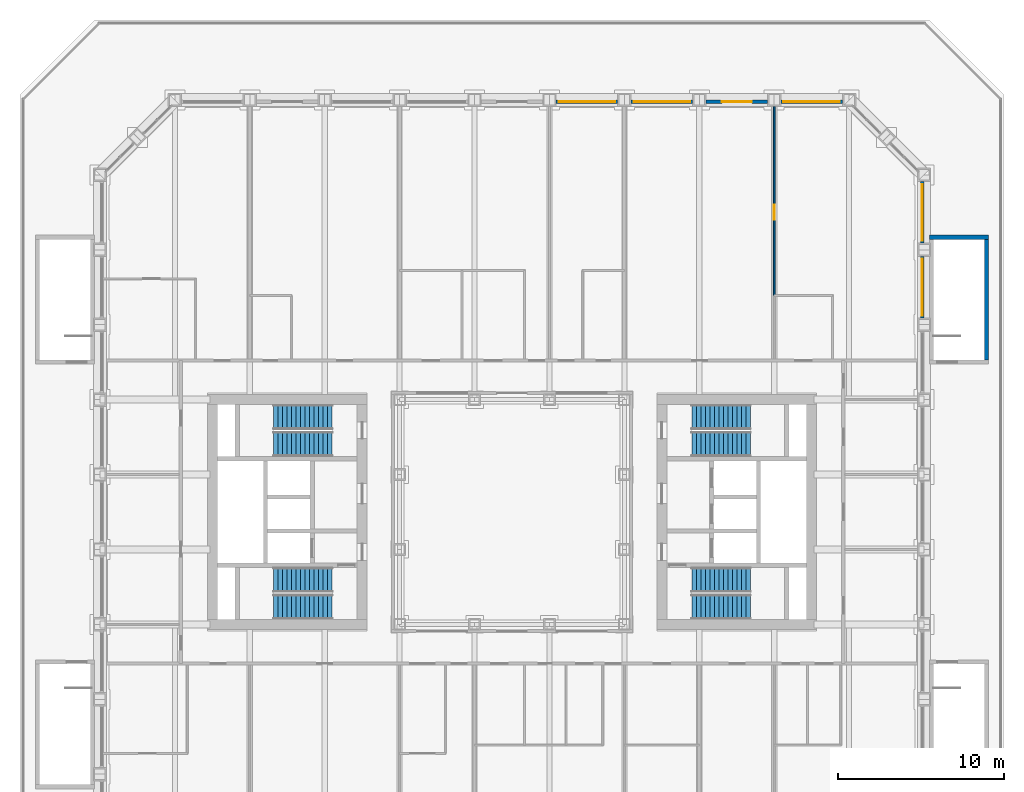
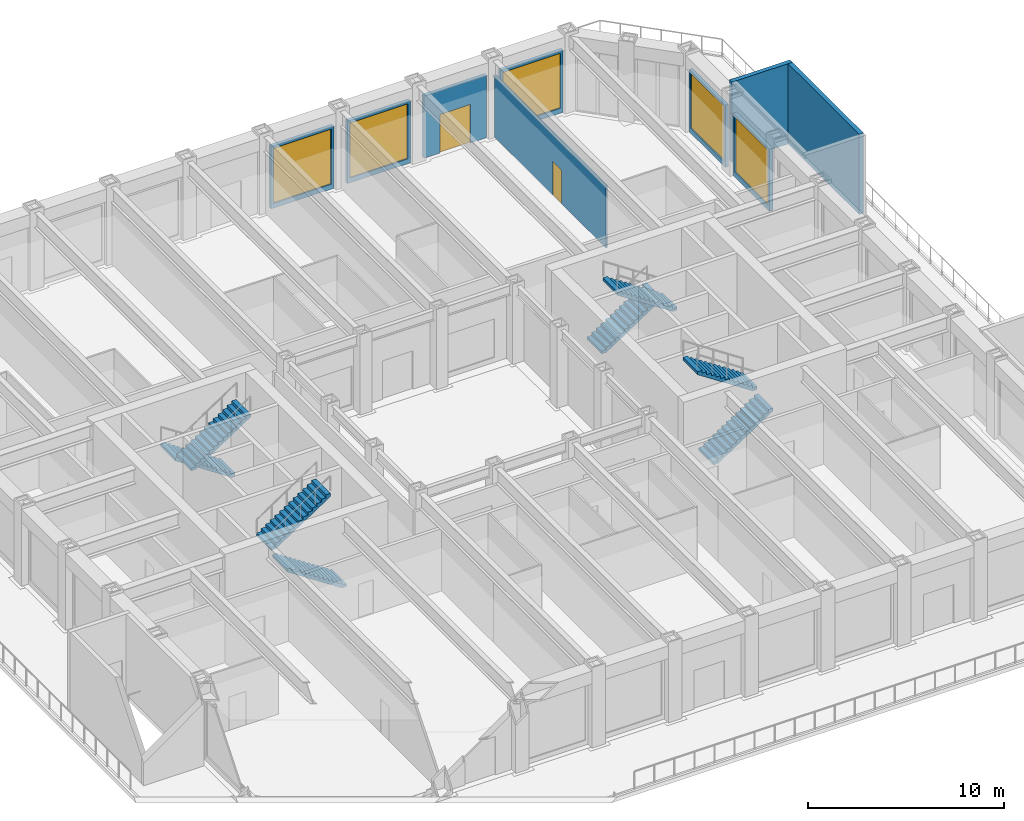
# One storey, part 14 of 18: 9 walls, 8 stair flights, 5 windows, 2 doors, 7 openings, 4 elements without a shape of their own.
"""IFC4 building model written with IfcOpenShell, lengths in metres."""

from ifc_helpers import new_model, si_unit, direction, frame, frame_2d, origin, place, context, subcontext, project, spatial, polyline, rectangle, outline, extrude, material, layer, layer_set, type_object, element, fill, aggregate, save


model = new_model("IFC4")

# Units and contexts
model_context = context("Model", 3, precision=1e-05, world=origin(), true_north=direction((0.0, 1.0)))
body_context = subcontext(model_context, "Body", "Model", "MODEL_VIEW")
ifc_project = project(units=[si_unit("LENGTHUNIT", "METRE"), si_unit("AREAUNIT", "SQUARE_METRE"), si_unit("VOLUMEUNIT", "CUBIC_METRE"), si_unit("PLANEANGLEUNIT", "RADIAN"), si_unit("MASSUNIT", "GRAM", prefix="KILO")], contexts=[model_context])

# Site, building, storey
site_placement = place(None, origin())
site = spatial("IfcSite", under=ifc_project, at=site_placement, CompositionType="ELEMENT")
building_placement = place(site_placement, origin())
building = spatial("IfcBuilding", under=site, at=building_placement, Name="Msasa Ring Tower", CompositionType="ELEMENT")
storey_placement = place(building_placement, frame((0.0, 0.0, 21.5)))
storey = spatial("IfcBuildingStorey", under=building, at=storey_placement, Name="L04", CompositionType="ELEMENT", Elevation=21.5)

# Wall, opening, window
ifc_material_1 = material(Name="Terracotta rainscreen on blockwork", Category="masonry")
ifc_layer_1 = layer(ifc_material_1, 0.199951171875)
ifc_layer_set_1 = layer_set([ifc_layer_1], Name="FW1 TERRACOTTA-LINED INFILL BAY WALL 200")
wall_type_1 = type_object("IfcWallType", Name="FW1 TERRACOTTA-LINED INFILL BAY WALL 200", PredefinedType="SOLIDWALL", material=ifc_layer_set_1)
wall_1_placement = place(storey_placement, frame((24.64990234375, 11.655029296875, 0.0), z_axis=(0.0, 0.0, 1.0), x_axis=(0.0, 1.0, 0.0)))
wall_1 = element("IfcWall", 1, at=wall_1_placement, inside=storey, type_object=wall_type_1, Name="Infill bay wall E L04 18", PredefinedType="SOLIDWALL", context=body_context, shape_type="SweptSolid", body=[
    extrude(rectangle(XDim=3.68994140625, YDim=0.199951171875, at=frame_2d((1.844970703125, 0.0))), origin(), (0.0, 0.0, 1.0), 3.87890625),
])
opening_1_placement = place(wall_1_placement, frame((0.14501953125, 0.0, 0.300048828125)))
opening_1 = element("IfcOpeningElement", 2, at=opening_1_placement, cuts=wall_1, Name="Opening WN4", PredefinedType="OPENING", context=body_context, shape_type="SweptSolid", body=[
    extrude(rectangle(XDim=3.39990234375, YDim=3.428955078125, at=frame_2d((1.699951171875, 1.71435546875))), frame((0.0, 0.10986328125, 0.0), z_axis=(0.0, -1.0, 0.0), x_axis=(1.0, 0.0, 0.0)), (0.0, 0.0, 1.0), 0.219970703125),
])
ifc_material_2 = material(Name="Aluminium frame with clear glass", Category="aluminium")
window_type = type_object("IfcWindowType", Name="WN4 AMENITY WINDOW 3400x3429", PartitioningType="SINGLE_PANEL", PredefinedType="WINDOW", material=ifc_material_2)
window_1_placement = place(opening_1_placement, origin())
window_1 = element("IfcWindow", 3, at=window_1_placement, inside=storey, type_object=window_type, Name="Window E L04 18", OverallHeight=3.428955078125, OverallWidth=3.39990234375, PartitioningType="SINGLE_PANEL", PredefinedType="WINDOW", context=body_context, shape_type="SweptSolid", body=[
    extrude(rectangle(XDim=3.39990234375, YDim=3.428955078125, at=frame_2d((1.699951171875, 1.71435546875))), frame((0.0, 0.030029296875, 0.0), z_axis=(0.0, -1.0, 0.0), x_axis=(1.0, 0.0, 0.0)), (0.0, 0.0, 1.0), 0.06005859375),
])
fill(opening_1, window_1)

wall_2_placement = place(storey_placement, frame((24.64990234375, 16.155029296875, 0.0), z_axis=(0.0, 0.0, 1.0), x_axis=(0.0, 1.0, 0.0)))
wall_2 = element("IfcWall", 4, at=wall_2_placement, inside=storey, type_object=wall_type_1, Name="Infill bay wall E L04 19", PredefinedType="SOLIDWALL", context=body_context, shape_type="SweptSolid", body=[
    extrude(rectangle(XDim=3.68994140625, YDim=0.199951171875, at=frame_2d((1.844970703125, 0.0))), origin(), (0.0, 0.0, 1.0), 3.87890625),
])
opening_2_placement = place(wall_2_placement, frame((0.14501953125, 0.0, 0.300048828125)))
opening_2 = element("IfcOpeningElement", 5, at=opening_2_placement, cuts=wall_2, Name="Opening WN4", PredefinedType="OPENING", context=body_context, shape_type="SweptSolid", body=[
    extrude(rectangle(XDim=3.39990234375, YDim=3.428955078125, at=frame_2d((1.699951171875, 1.71435546875))), frame((0.0, 0.10986328125, 0.0), z_axis=(0.0, -1.0, 0.0), x_axis=(1.0, 0.0, 0.0)), (0.0, 0.0, 1.0), 0.219970703125),
])
window_2_placement = place(opening_2_placement, origin())
window_2 = element("IfcWindow", 6, at=window_2_placement, inside=storey, type_object=window_type, Name="Window E L04 19", OverallHeight=3.428955078125, OverallWidth=3.39990234375, PartitioningType="SINGLE_PANEL", PredefinedType="WINDOW", context=body_context, shape_type="SweptSolid", body=[
    extrude(rectangle(XDim=3.39990234375, YDim=3.428955078125, at=frame_2d((1.699951171875, 1.71435546875))), frame((0.0, 0.030029296875, 0.0), z_axis=(0.0, -1.0, 0.0), x_axis=(1.0, 0.0, 0.0)), (0.0, 0.0, 1.0), 0.06005859375),
])
fill(opening_2, window_2)

wall_3_placement = place(storey_placement, frame((2.655029296875, 24.64990234375, 0.0), z_axis=(0.0, 0.0, 1.0), x_axis=(1.0, 0.0, 0.0)))
wall_3 = element("IfcWall", 7, at=wall_3_placement, inside=storey, type_object=wall_type_1, Name="Infill bay wall N L04 27", PredefinedType="SOLIDWALL", context=body_context, shape_type="SweptSolid", body=[
    extrude(rectangle(XDim=3.68994140625, YDim=0.199951171875, at=frame_2d((1.844970703125, 0.0))), origin(), (0.0, 0.0, 1.0), 3.87890625),
])
opening_3_placement = place(wall_3_placement, frame((0.14501953125, 0.0, 0.300048828125)))
opening_3 = element("IfcOpeningElement", 8, at=opening_3_placement, cuts=wall_3, Name="Opening WN4", PredefinedType="OPENING", context=body_context, shape_type="SweptSolid", body=[
    extrude(rectangle(XDim=3.39990234375, YDim=3.428955078125, at=frame_2d((1.699951171875, 1.71435546875))), frame((0.0, 0.10986328125, 0.0), z_axis=(0.0, -1.0, 0.0), x_axis=(1.0, 0.0, 0.0)), (0.0, 0.0, 1.0), 0.219970703125),
])
window_3_placement = place(opening_3_placement, origin())
window_3 = element("IfcWindow", 9, at=window_3_placement, inside=storey, type_object=window_type, Name="Window N L04 27", OverallHeight=3.428955078125, OverallWidth=3.39990234375, PartitioningType="SINGLE_PANEL", PredefinedType="WINDOW", context=body_context, shape_type="SweptSolid", body=[
    extrude(rectangle(XDim=3.39990234375, YDim=3.428955078125, at=frame_2d((1.699951171875, 1.71435546875))), frame((0.0, 0.030029296875, 0.0), z_axis=(0.0, -1.0, 0.0), x_axis=(1.0, 0.0, 0.0)), (0.0, 0.0, 1.0), 0.06005859375),
])
fill(opening_3, window_3)

wall_4_placement = place(storey_placement, frame((7.155029296875, 24.64990234375, 0.0), z_axis=(0.0, 0.0, 1.0), x_axis=(1.0, 0.0, 0.0)))
wall_4 = element("IfcWall", 10, at=wall_4_placement, inside=storey, type_object=wall_type_1, Name="Infill bay wall N L04 28", PredefinedType="SOLIDWALL", context=body_context, shape_type="SweptSolid", body=[
    extrude(rectangle(XDim=3.68994140625, YDim=0.199951171875, at=frame_2d((1.844970703125, 0.0))), origin(), (0.0, 0.0, 1.0), 3.87890625),
])
opening_4_placement = place(wall_4_placement, frame((0.14501953125, 0.0, 0.300048828125)))
opening_4 = element("IfcOpeningElement", 11, at=opening_4_placement, cuts=wall_4, Name="Opening WN4", PredefinedType="OPENING", context=body_context, shape_type="SweptSolid", body=[
    extrude(rectangle(XDim=3.39990234375, YDim=3.428955078125, at=frame_2d((1.699951171875, 1.71435546875))), frame((0.0, 0.10986328125, 0.0), z_axis=(0.0, -1.0, 0.0), x_axis=(1.0, 0.0, 0.0)), (0.0, 0.0, 1.0), 0.219970703125),
])
window_4_placement = place(opening_4_placement, origin())
window_4 = element("IfcWindow", 12, at=window_4_placement, inside=storey, type_object=window_type, Name="Window N L04 28", OverallHeight=3.428955078125, OverallWidth=3.39990234375, PartitioningType="SINGLE_PANEL", PredefinedType="WINDOW", context=body_context, shape_type="SweptSolid", body=[
    extrude(rectangle(XDim=3.39990234375, YDim=3.428955078125, at=frame_2d((1.699951171875, 1.71435546875))), frame((0.0, 0.030029296875, 0.0), z_axis=(0.0, -1.0, 0.0), x_axis=(1.0, 0.0, 0.0)), (0.0, 0.0, 1.0), 0.06005859375),
])
fill(opening_4, window_4)

# Wall, opening, door
wall_5_placement = place(storey_placement, frame((11.655029296875, 24.64990234375, 0.0), z_axis=(0.0, 0.0, 1.0), x_axis=(1.0, 0.0, 0.0)))
wall_5 = element("IfcWall", 13, at=wall_5_placement, inside=storey, type_object=wall_type_1, Name="Infill bay wall N L04 29", PredefinedType="SOLIDWALL", context=body_context, shape_type="SweptSolid", body=[
    extrude(rectangle(XDim=3.68994140625, YDim=0.199951171875, at=frame_2d((1.844970703125, 0.0))), origin(), (0.0, 0.0, 1.0), 3.87890625),
])
opening_5_placement = place(wall_5_placement, frame((0.945068359375, 0.0, 0.0)))
opening_5 = element("IfcOpeningElement", 14, at=opening_5_placement, cuts=wall_5, Name="Opening L04-003", PredefinedType="OPENING", context=body_context, shape_type="SweptSolid", body=[
    extrude(rectangle(XDim=1.800048828125, YDim=2.39990234375, at=frame_2d((0.89990234375, 1.199951171875))), frame((0.0, 0.10986328125, 0.0), z_axis=(0.0, -1.0, 0.0), x_axis=(1.0, 0.0, 0.0)), (0.0, 0.0, 1.0), 0.219970703125),
])
ifc_material_3 = material(Name="Aluminium frame with clear glass", Category="aluminium")
door_type_1 = type_object("IfcDoorType", Name="ED1 TERRACE DOOR 1800x2400", OperationType="DOUBLE_DOOR_SINGLE_SWING", PredefinedType="DOOR", material=ifc_material_3)
door_1_placement = place(opening_5_placement, origin())
door_1 = element("IfcDoor", 15, at=door_1_placement, inside=storey, type_object=door_type_1, Name="Terrace door N L04", OperationType="DOUBLE_DOOR_SINGLE_SWING", OverallHeight=2.39990234375, OverallWidth=1.800048828125, PredefinedType="DOOR", context=body_context, shape_type="SweptSolid", body=[
    extrude(rectangle(XDim=1.800048828125, YDim=2.39990234375, at=frame_2d((0.89990234375, 1.199951171875))), frame((0.0, 0.02490234375, 0.0), z_axis=(0.0, -1.0, 0.0), x_axis=(1.0, 0.0, 0.0)), (0.0, 0.0, 1.0), 0.050048828125),
])
fill(opening_5, door_1)

# Wall, opening, window
wall_6_placement = place(storey_placement, frame((16.155029296875, 24.64990234375, 0.0), z_axis=(0.0, 0.0, 1.0), x_axis=(1.0, 0.0, 0.0)))
wall_6 = element("IfcWall", 16, at=wall_6_placement, inside=storey, type_object=wall_type_1, Name="Infill bay wall N L04 30", PredefinedType="SOLIDWALL", context=body_context, shape_type="SweptSolid", body=[
    extrude(rectangle(XDim=3.68994140625, YDim=0.199951171875, at=frame_2d((1.844970703125, 0.0))), origin(), (0.0, 0.0, 1.0), 3.87890625),
])
opening_6_placement = place(wall_6_placement, frame((0.14501953125, 0.0, 0.300048828125)))
opening_6 = element("IfcOpeningElement", 17, at=opening_6_placement, cuts=wall_6, Name="Opening WN4", PredefinedType="OPENING", context=body_context, shape_type="SweptSolid", body=[
    extrude(rectangle(XDim=3.39990234375, YDim=3.428955078125, at=frame_2d((1.699951171875, 1.71435546875))), frame((0.0, 0.10986328125, 0.0), z_axis=(0.0, -1.0, 0.0), x_axis=(1.0, 0.0, 0.0)), (0.0, 0.0, 1.0), 0.219970703125),
])
window_5_placement = place(opening_6_placement, origin())
window_5 = element("IfcWindow", 18, at=window_5_placement, inside=storey, type_object=window_type, Name="Window N L04 30", OverallHeight=3.428955078125, OverallWidth=3.39990234375, PartitioningType="SINGLE_PANEL", PredefinedType="WINDOW", context=body_context, shape_type="SweptSolid", body=[
    extrude(rectangle(XDim=3.39990234375, YDim=3.428955078125, at=frame_2d((1.699951171875, 1.71435546875))), frame((0.0, 0.030029296875, 0.0), z_axis=(0.0, -1.0, 0.0), x_axis=(1.0, 0.0, 0.0)), (0.0, 0.0, 1.0), 0.06005859375),
])
fill(opening_6, window_5)

# Wall, opening, door
ifc_material_4 = material(Name="Gypsum board on steel studs", Category="steel")
ifc_layer_2 = layer(ifc_material_4, 0.10009765625)
ifc_layer_set_2 = layer_set([ifc_layer_2], Name="PT2 STUD PARTITION 100")
wall_type_2 = type_object("IfcWallType", Name="PT2 STUD PARTITION 100", PredefinedType="PARTITIONING", material=ifc_layer_set_2)
wall_7_placement = place(storey_placement, frame((15.75, 13.0, 0.0), z_axis=(0.0, 0.0, 1.0), x_axis=(0.0, 1.0, 0.0)))
wall_7 = element("IfcWall", 19, at=wall_7_placement, inside=storey, type_object=wall_type_2, Name="Partition L04-AMN3S0", PredefinedType="PARTITIONING", context=body_context, shape_type="SweptSolid", body=[
    extrude(rectangle(XDim=11.35009765625, YDim=0.10009765625, at=frame_2d((5.675048828125, 0.0))), origin(), (0.0, 0.0, 1.0), 3.873291015625),
])
opening_7_placement = place(wall_7_placement, frame((4.550048828125, 0.0, 0.0)))
opening_7 = element("IfcOpeningElement", 20, at=opening_7_placement, cuts=wall_7, Name="Opening L04-004", PredefinedType="OPENING", context=body_context, shape_type="SweptSolid", body=[
    extrude(rectangle(XDim=0.89990234375, YDim=2.10009765625, at=frame_2d((0.449951171875, 1.050048828125))), frame((0.0, 0.06005859375, 0.0), z_axis=(0.0, -1.0, 0.0), x_axis=(1.0, 0.0, 0.0)), (0.0, 0.0, 1.0), 0.1201171875),
])
ifc_material_5 = material(Name="Timber door leaf in a steel frame", Category="steel")
door_type_2 = type_object("IfcDoorType", Name="D31 INTERNAL ROOM DOOR 900x2100", OperationType="SINGLE_SWING_LEFT", PredefinedType="DOOR", material=ifc_material_5)
door_2_placement = place(opening_7_placement, origin())
door_2 = element("IfcDoor", 21, at=door_2_placement, inside=storey, type_object=door_type_2, Name="Door L04-AMN3L01", OperationType="SINGLE_SWING_LEFT", OverallHeight=2.10009765625, OverallWidth=0.89990234375, PredefinedType="DOOR", context=body_context, shape_type="SweptSolid", body=[
    extrude(rectangle(XDim=0.89990234375, YDim=2.10009765625, at=frame_2d((0.449951171875, 1.050048828125))), frame((0.0, 0.02490234375, 0.0), z_axis=(0.0, -1.0, 0.0), x_axis=(1.0, 0.0, 0.0)), (0.0, 0.0, 1.0), 0.050048828125),
])
fill(opening_7, door_2)

# Walls
ifc_material_6 = material(Name="Concrete C60/75", Category="concrete")
ifc_layer_3 = layer(ifc_material_6, 0.25)
ifc_layer_set_3 = layer_set([ifc_layer_3], Name="SW1 STAIR WALL 250")
wall_type_3 = type_object("IfcWallType", Name="SW1 STAIR WALL 250", PredefinedType="SHEAR", material=ifc_layer_set_3)
wall_8_placement = place(storey_placement, frame((25.074951171875, 16.5, 0.0), z_axis=(0.0, 0.0, 1.0), x_axis=(1.0, 0.0, 0.0)))
element("IfcWall", 22, at=wall_8_placement, inside=storey, type_object=wall_type_3, Name="Podium stair EN wall N L04", PredefinedType="SHEAR", context=body_context, shape_type="SweptSolid", body=[
    extrude(rectangle(XDim=3.550048828125, YDim=0.25, at=frame_2d((1.77490234375, 0.0))), origin(), (0.0, 0.0, 1.0), 5.0),
])
wall_9_placement = place(storey_placement, frame((28.5, 9.125, 0.0), z_axis=(0.0, 0.0, 1.0), x_axis=(0.0, 1.0, 0.0)))
element("IfcWall", 23, at=wall_9_placement, inside=storey, type_object=wall_type_3, Name="Podium stair EN wall E L04", PredefinedType="SHEAR", context=body_context, shape_type="SweptSolid", body=[
    extrude(rectangle(XDim=7.25, YDim=0.25, at=frame_2d((3.625, 0.0))), origin(), (0.0, 0.0, 1.0), 5.0),
])

# Stair, stair flights
ifc_material_7 = material(Name="Concrete C40/50", Category="concrete")
stair_type = type_object("IfcStairType", Name="STC CORE STAIR 28 RISERS 178.6", PredefinedType="HALF_TURN_STAIR", material=ifc_material_7)
stair_1_placement = place(storey_placement, origin())
stair_1 = element("IfcStair", 24, at=stair_1_placement, inside=storey, type_object=stair_type, Name="Core stair SEA L04", PredefinedType="HALF_TURN_STAIR")
ifc_material_8 = material(Name="Concrete C40/50", Category="concrete")
stair_flight_type = type_object("IfcStairFlightType", Name="ST13 CORE STAIR FLIGHT 1500 14 RISERS 178.6", PredefinedType="STRAIGHT", material=ifc_material_8)
stair_flight_1_placement = place(storey_placement, frame((10.800048828125, -5.699951171875, 0.0), z_axis=(0.0, 0.0, 1.0), x_axis=(1.0, 0.0, 0.0)))
stair_flight_1 = element("IfcStairFlight", 25, at=stair_flight_1_placement, type_object=stair_flight_type, Name="SEA flight 1", NumberOfRisers=14, NumberOfTreads=13, PredefinedType="STRAIGHT", RiserHeight=0.178571429, TreadLength=0.27, context=body_context, shape_type="SweptSolid", body=[
    extrude(outline(polyline([(0.0, 0.0), (0.0, 0.178466796875), (0.27001953125, 0.178466796875), (0.27001953125, 0.357177734375), (0.5400390625, 0.357177734375), (0.5400390625, 0.53564453125), (0.81005859375, 0.53564453125), (0.81005859375, 0.71435546875), (1.080078125, 0.71435546875), (1.080078125, 0.892822265625), (1.35009765625, 0.892822265625), (1.35009765625, 1.071533203125), (1.6201171875, 1.071533203125), (1.6201171875, 1.25), (1.889892578125, 1.25), (1.889892578125, 1.428466796875), (2.159912109375, 1.428466796875), (2.159912109375, 1.607177734375), (2.429931640625, 1.607177734375), (2.429931640625, 1.78564453125), (2.699951171875, 1.78564453125), (2.699951171875, 1.96435546875), (2.969970703125, 1.96435546875), (2.969970703125, 2.142822265625), (3.239990234375, 2.142822265625), (3.239990234375, 2.321533203125), (3.510009765625, 2.321533203125), (3.510009765625, 2.5), (3.510009765625, 2.1416015625), (0.271728515625, 0.0), (0.0, 0.0)])), frame((0.0, 0.75, 0.0), z_axis=(0.0, -1.0, 0.0), x_axis=(1.0, 0.0, 0.0)), (0.0, 0.0, 1.0), 1.5),
])
stair_flight_2_placement = place(storey_placement, frame((14.31005859375, -4.074951171875, 2.5), z_axis=(0.0, 0.0, 1.0), x_axis=(-1.0, 0.0, 0.0)))
stair_flight_2 = element("IfcStairFlight", 26, at=stair_flight_2_placement, type_object=stair_flight_type, Name="SEA flight 2", NumberOfRisers=14, NumberOfTreads=13, PredefinedType="STRAIGHT", RiserHeight=0.178571429, TreadLength=0.27, context=body_context, shape_type="SweptSolid", body=[
    extrude(outline(polyline([(0.0, 0.0), (0.0, 0.178466796875), (0.27001953125, 0.178466796875), (0.27001953125, 0.357177734375), (0.5400390625, 0.357177734375), (0.5400390625, 0.53564453125), (0.81005859375, 0.53564453125), (0.81005859375, 0.71435546875), (1.080078125, 0.71435546875), (1.080078125, 0.892822265625), (1.35009765625, 0.892822265625), (1.35009765625, 1.071533203125), (1.6201171875, 1.071533203125), (1.6201171875, 1.25), (1.889892578125, 1.25), (1.889892578125, 1.428466796875), (2.159912109375, 1.428466796875), (2.159912109375, 1.607177734375), (2.429931640625, 1.607177734375), (2.429931640625, 1.78564453125), (2.699951171875, 1.78564453125), (2.699951171875, 1.96435546875), (2.969970703125, 1.96435546875), (2.969970703125, 2.142822265625), (3.239990234375, 2.142822265625), (3.239990234375, 2.321533203125), (3.510009765625, 2.321533203125), (3.510009765625, 2.5), (3.510009765625, 2.1416015625), (0.271728515625, 0.0), (0.0, 0.0)])), frame((0.0, 0.75, 0.0), z_axis=(0.0, -1.0, 0.0), x_axis=(1.0, 0.0, 0.0)), (0.0, 0.0, 1.0), 1.5),
])
aggregate(stair_1, [stair_flight_1, stair_flight_2])

stair_2_placement = place(storey_placement, origin())
stair_2 = element("IfcStair", 27, at=stair_2_placement, inside=storey, type_object=stair_type, Name="Core stair SEB L04", PredefinedType="HALF_TURN_STAIR")
stair_flight_3_placement = place(storey_placement, frame((10.800048828125, 5.699951171875, 0.0), z_axis=(0.0, 0.0, 1.0), x_axis=(1.0, 0.0, 0.0)))
stair_flight_3 = element("IfcStairFlight", 28, at=stair_flight_3_placement, type_object=stair_flight_type, Name="SEB flight 1", NumberOfRisers=14, NumberOfTreads=13, PredefinedType="STRAIGHT", RiserHeight=0.178571429, TreadLength=0.27, context=body_context, shape_type="SweptSolid", body=[
    extrude(outline(polyline([(0.0, 0.0), (0.0, 0.178466796875), (0.27001953125, 0.178466796875), (0.27001953125, 0.357177734375), (0.5400390625, 0.357177734375), (0.5400390625, 0.53564453125), (0.81005859375, 0.53564453125), (0.81005859375, 0.71435546875), (1.080078125, 0.71435546875), (1.080078125, 0.892822265625), (1.35009765625, 0.892822265625), (1.35009765625, 1.071533203125), (1.6201171875, 1.071533203125), (1.6201171875, 1.25), (1.889892578125, 1.25), (1.889892578125, 1.428466796875), (2.159912109375, 1.428466796875), (2.159912109375, 1.607177734375), (2.429931640625, 1.607177734375), (2.429931640625, 1.78564453125), (2.699951171875, 1.78564453125), (2.699951171875, 1.96435546875), (2.969970703125, 1.96435546875), (2.969970703125, 2.142822265625), (3.239990234375, 2.142822265625), (3.239990234375, 2.321533203125), (3.510009765625, 2.321533203125), (3.510009765625, 2.5), (3.510009765625, 2.1416015625), (0.271728515625, 0.0), (0.0, 0.0)])), frame((0.0, 0.75, 0.0), z_axis=(0.0, -1.0, 0.0), x_axis=(1.0, 0.0, 0.0)), (0.0, 0.0, 1.0), 1.5),
])
stair_flight_4_placement = place(storey_placement, frame((14.31005859375, 4.074951171875, 2.5), z_axis=(0.0, 0.0, 1.0), x_axis=(-1.0, 0.0, 0.0)))
stair_flight_4 = element("IfcStairFlight", 29, at=stair_flight_4_placement, type_object=stair_flight_type, Name="SEB flight 2", NumberOfRisers=14, NumberOfTreads=13, PredefinedType="STRAIGHT", RiserHeight=0.178571429, TreadLength=0.27, context=body_context, shape_type="SweptSolid", body=[
    extrude(outline(polyline([(0.0, 0.0), (0.0, 0.178466796875), (0.27001953125, 0.178466796875), (0.27001953125, 0.357177734375), (0.5400390625, 0.357177734375), (0.5400390625, 0.53564453125), (0.81005859375, 0.53564453125), (0.81005859375, 0.71435546875), (1.080078125, 0.71435546875), (1.080078125, 0.892822265625), (1.35009765625, 0.892822265625), (1.35009765625, 1.071533203125), (1.6201171875, 1.071533203125), (1.6201171875, 1.25), (1.889892578125, 1.25), (1.889892578125, 1.428466796875), (2.159912109375, 1.428466796875), (2.159912109375, 1.607177734375), (2.429931640625, 1.607177734375), (2.429931640625, 1.78564453125), (2.699951171875, 1.78564453125), (2.699951171875, 1.96435546875), (2.969970703125, 1.96435546875), (2.969970703125, 2.142822265625), (3.239990234375, 2.142822265625), (3.239990234375, 2.321533203125), (3.510009765625, 2.321533203125), (3.510009765625, 2.5), (3.510009765625, 2.1416015625), (0.271728515625, 0.0), (0.0, 0.0)])), frame((0.0, 0.75, 0.0), z_axis=(0.0, -1.0, 0.0), x_axis=(1.0, 0.0, 0.0)), (0.0, 0.0, 1.0), 1.5),
])
aggregate(stair_2, [stair_flight_3, stair_flight_4])

stair_3_placement = place(storey_placement, origin())
stair_3 = element("IfcStair", 30, at=stair_3_placement, inside=storey, type_object=stair_type, Name="Core stair SWA L04", PredefinedType="HALF_TURN_STAIR")
stair_flight_5_placement = place(storey_placement, frame((-10.800048828125, -5.699951171875, 0.0), z_axis=(0.0, 0.0, 1.0), x_axis=(-1.0, 0.0, 0.0)))
stair_flight_5 = element("IfcStairFlight", 31, at=stair_flight_5_placement, type_object=stair_flight_type, Name="SWA flight 1", NumberOfRisers=14, NumberOfTreads=13, PredefinedType="STRAIGHT", RiserHeight=0.178571429, TreadLength=0.27, context=body_context, shape_type="SweptSolid", body=[
    extrude(outline(polyline([(0.0, 0.0), (0.0, 0.178466796875), (0.27001953125, 0.178466796875), (0.27001953125, 0.357177734375), (0.5400390625, 0.357177734375), (0.5400390625, 0.53564453125), (0.81005859375, 0.53564453125), (0.81005859375, 0.71435546875), (1.080078125, 0.71435546875), (1.080078125, 0.892822265625), (1.35009765625, 0.892822265625), (1.35009765625, 1.071533203125), (1.6201171875, 1.071533203125), (1.6201171875, 1.25), (1.889892578125, 1.25), (1.889892578125, 1.428466796875), (2.159912109375, 1.428466796875), (2.159912109375, 1.607177734375), (2.429931640625, 1.607177734375), (2.429931640625, 1.78564453125), (2.699951171875, 1.78564453125), (2.699951171875, 1.96435546875), (2.969970703125, 1.96435546875), (2.969970703125, 2.142822265625), (3.239990234375, 2.142822265625), (3.239990234375, 2.321533203125), (3.510009765625, 2.321533203125), (3.510009765625, 2.5), (3.510009765625, 2.1416015625), (0.271728515625, 0.0), (0.0, 0.0)])), frame((0.0, 0.75, 0.0), z_axis=(0.0, -1.0, 0.0), x_axis=(1.0, 0.0, 0.0)), (0.0, 0.0, 1.0), 1.5),
])
stair_flight_6_placement = place(storey_placement, frame((-14.31005859375, -4.074951171875, 2.5), z_axis=(0.0, 0.0, 1.0), x_axis=(1.0, 0.0, 0.0)))
stair_flight_6 = element("IfcStairFlight", 32, at=stair_flight_6_placement, type_object=stair_flight_type, Name="SWA flight 2", NumberOfRisers=14, NumberOfTreads=13, PredefinedType="STRAIGHT", RiserHeight=0.178571429, TreadLength=0.27, context=body_context, shape_type="SweptSolid", body=[
    extrude(outline(polyline([(0.0, 0.0), (0.0, 0.178466796875), (0.27001953125, 0.178466796875), (0.27001953125, 0.357177734375), (0.5400390625, 0.357177734375), (0.5400390625, 0.53564453125), (0.81005859375, 0.53564453125), (0.81005859375, 0.71435546875), (1.080078125, 0.71435546875), (1.080078125, 0.892822265625), (1.35009765625, 0.892822265625), (1.35009765625, 1.071533203125), (1.6201171875, 1.071533203125), (1.6201171875, 1.25), (1.889892578125, 1.25), (1.889892578125, 1.428466796875), (2.159912109375, 1.428466796875), (2.159912109375, 1.607177734375), (2.429931640625, 1.607177734375), (2.429931640625, 1.78564453125), (2.699951171875, 1.78564453125), (2.699951171875, 1.96435546875), (2.969970703125, 1.96435546875), (2.969970703125, 2.142822265625), (3.239990234375, 2.142822265625), (3.239990234375, 2.321533203125), (3.510009765625, 2.321533203125), (3.510009765625, 2.5), (3.510009765625, 2.1416015625), (0.271728515625, 0.0), (0.0, 0.0)])), frame((0.0, 0.75, 0.0), z_axis=(0.0, -1.0, 0.0), x_axis=(1.0, 0.0, 0.0)), (0.0, 0.0, 1.0), 1.5),
])
aggregate(stair_3, [stair_flight_5, stair_flight_6])

stair_4_placement = place(storey_placement, origin())
stair_4 = element("IfcStair", 33, at=stair_4_placement, inside=storey, type_object=stair_type, Name="Core stair SWB L04", PredefinedType="HALF_TURN_STAIR")
stair_flight_7_placement = place(storey_placement, frame((-10.800048828125, 5.699951171875, 0.0), z_axis=(0.0, 0.0, 1.0), x_axis=(-1.0, 0.0, 0.0)))
stair_flight_7 = element("IfcStairFlight", 34, at=stair_flight_7_placement, type_object=stair_flight_type, Name="SWB flight 1", NumberOfRisers=14, NumberOfTreads=13, PredefinedType="STRAIGHT", RiserHeight=0.178571429, TreadLength=0.27, context=body_context, shape_type="SweptSolid", body=[
    extrude(outline(polyline([(0.0, 0.0), (0.0, 0.178466796875), (0.27001953125, 0.178466796875), (0.27001953125, 0.357177734375), (0.5400390625, 0.357177734375), (0.5400390625, 0.53564453125), (0.81005859375, 0.53564453125), (0.81005859375, 0.71435546875), (1.080078125, 0.71435546875), (1.080078125, 0.892822265625), (1.35009765625, 0.892822265625), (1.35009765625, 1.071533203125), (1.6201171875, 1.071533203125), (1.6201171875, 1.25), (1.889892578125, 1.25), (1.889892578125, 1.428466796875), (2.159912109375, 1.428466796875), (2.159912109375, 1.607177734375), (2.429931640625, 1.607177734375), (2.429931640625, 1.78564453125), (2.699951171875, 1.78564453125), (2.699951171875, 1.96435546875), (2.969970703125, 1.96435546875), (2.969970703125, 2.142822265625), (3.239990234375, 2.142822265625), (3.239990234375, 2.321533203125), (3.510009765625, 2.321533203125), (3.510009765625, 2.5), (3.510009765625, 2.1416015625), (0.271728515625, 0.0), (0.0, 0.0)])), frame((0.0, 0.75, 0.0), z_axis=(0.0, -1.0, 0.0), x_axis=(1.0, 0.0, 0.0)), (0.0, 0.0, 1.0), 1.5),
])
stair_flight_8_placement = place(storey_placement, frame((-14.31005859375, 4.074951171875, 2.5), z_axis=(0.0, 0.0, 1.0), x_axis=(1.0, 0.0, 0.0)))
stair_flight_8 = element("IfcStairFlight", 35, at=stair_flight_8_placement, type_object=stair_flight_type, Name="SWB flight 2", NumberOfRisers=14, NumberOfTreads=13, PredefinedType="STRAIGHT", RiserHeight=0.178571429, TreadLength=0.27, context=body_context, shape_type="SweptSolid", body=[
    extrude(outline(polyline([(0.0, 0.0), (0.0, 0.178466796875), (0.27001953125, 0.178466796875), (0.27001953125, 0.357177734375), (0.5400390625, 0.357177734375), (0.5400390625, 0.53564453125), (0.81005859375, 0.53564453125), (0.81005859375, 0.71435546875), (1.080078125, 0.71435546875), (1.080078125, 0.892822265625), (1.35009765625, 0.892822265625), (1.35009765625, 1.071533203125), (1.6201171875, 1.071533203125), (1.6201171875, 1.25), (1.889892578125, 1.25), (1.889892578125, 1.428466796875), (2.159912109375, 1.428466796875), (2.159912109375, 1.607177734375), (2.429931640625, 1.607177734375), (2.429931640625, 1.78564453125), (2.699951171875, 1.78564453125), (2.699951171875, 1.96435546875), (2.969970703125, 1.96435546875), (2.969970703125, 2.142822265625), (3.239990234375, 2.142822265625), (3.239990234375, 2.321533203125), (3.510009765625, 2.321533203125), (3.510009765625, 2.5), (3.510009765625, 2.1416015625), (0.271728515625, 0.0), (0.0, 0.0)])), frame((0.0, 0.75, 0.0), z_axis=(0.0, -1.0, 0.0), x_axis=(1.0, 0.0, 0.0)), (0.0, 0.0, 1.0), 1.5),
])
aggregate(stair_4, [stair_flight_7, stair_flight_8])

save(model, "model.ifc")
